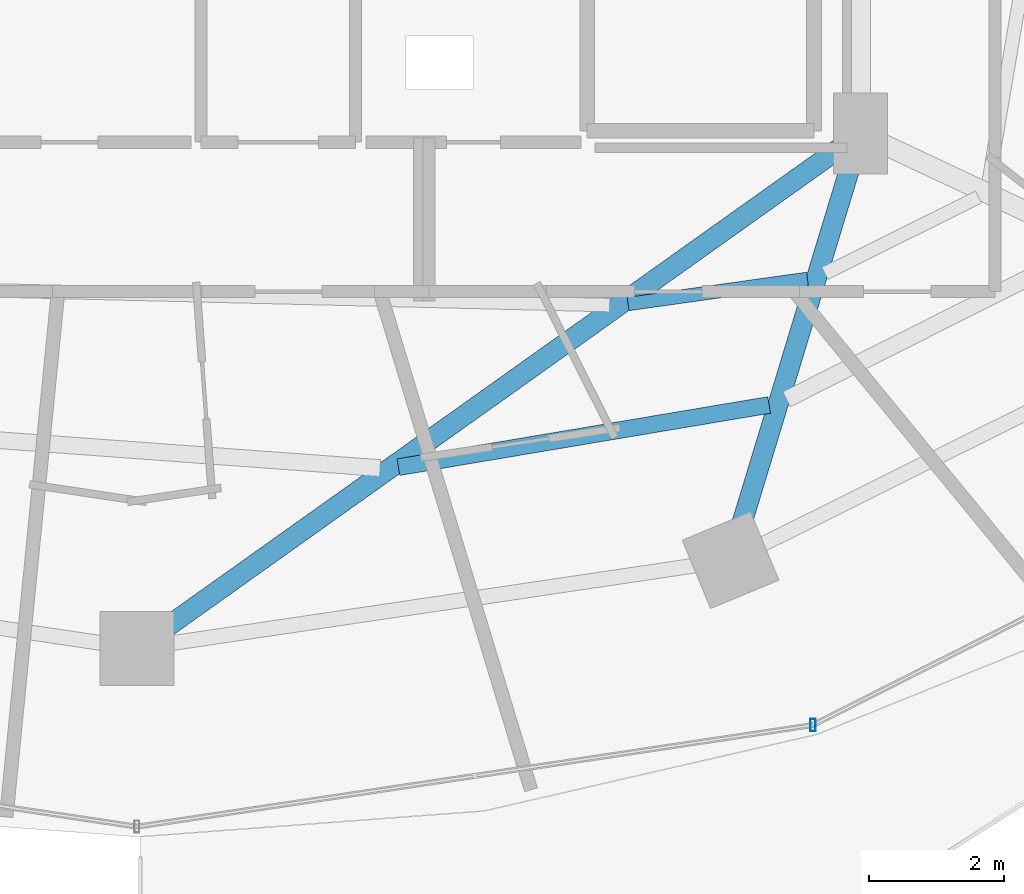
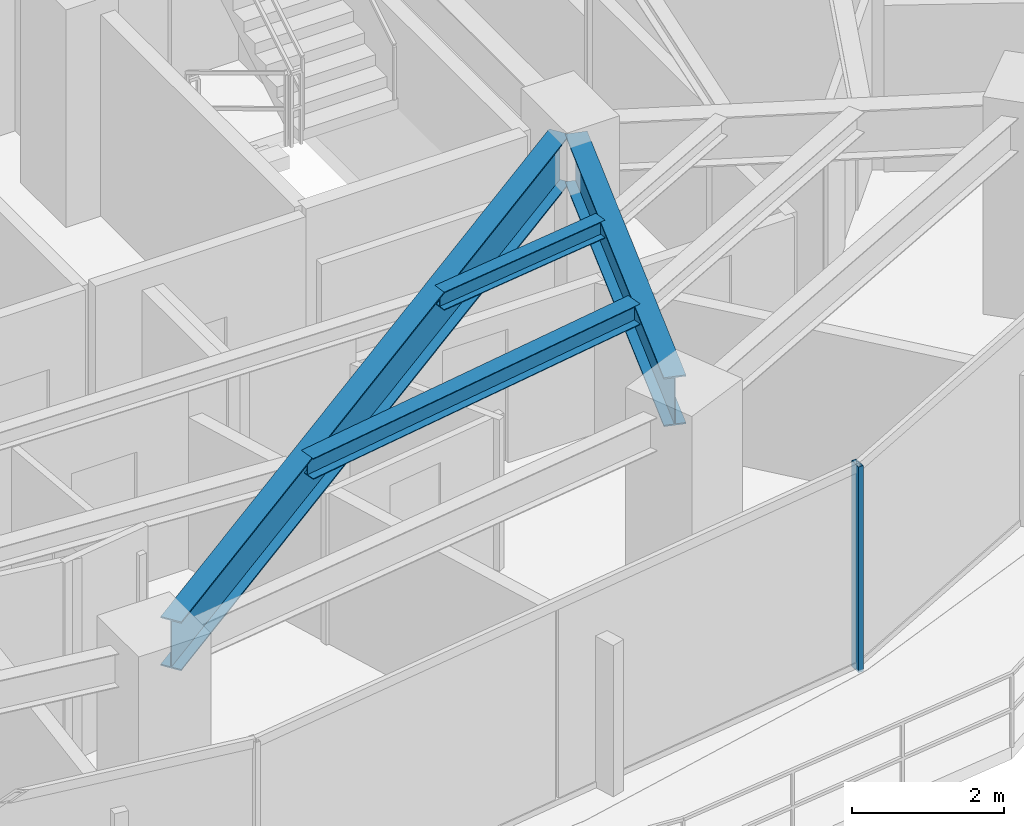
# One storey, part 10 of 29: 4 beams, 1 member, 1 element without a shape of its own.
"""IFC4 building model written with IfcOpenShell, lengths in metres."""

from ifc_helpers import new_model, si_unit, direction, frame, origin, origin_2d, place, context, subcontext, project, spatial, hollow_rectangle, i_section, extrude, material, material_profile, profile_set, type_object, element, aggregate, save


model = new_model("IFC4")

# Units and contexts
model_context = context("Model", 3, precision=1e-05, world=origin(), true_north=direction((0.0, 1.0)))
body_context = subcontext(model_context, "Body", "Model", "MODEL_VIEW")
ifc_project = project(units=[si_unit("LENGTHUNIT", "METRE"), si_unit("AREAUNIT", "SQUARE_METRE"), si_unit("VOLUMEUNIT", "CUBIC_METRE"), si_unit("PLANEANGLEUNIT", "RADIAN"), si_unit("MASSUNIT", "GRAM", prefix="KILO")], contexts=[model_context])

# Site, building, storey
site_placement = place(None, origin())
site = spatial("IfcSite", under=ifc_project, at=site_placement, CompositionType="ELEMENT")
building_placement = place(site_placement, origin())
building = spatial("IfcBuilding", under=site, at=building_placement, Name="Vorneva Point Tower", CompositionType="ELEMENT")
storey_placement = place(building_placement, frame((0.0, 0.0, 113.800048828125)))
storey = spatial("IfcBuildingStorey", under=building, at=storey_placement, Name="L30", CompositionType="ELEMENT", Elevation=113.800048828125)

# Beams
ifc_material_1 = material(Name="Steel S355", Category="steel")
ifc_material_profile_1 = material_profile(ifc_material_1, i_section(OverallWidth=0.300048828125, OverallDepth=0.7880859375, WebThickness=0.014404296875, FlangeThickness=0.02197265625, at=origin_2d()), Name="80Sh1")
ifc_profile_set_1 = profile_set([ifc_material_profile_1], Name="Steel S355")
beam_type_1 = type_object("IfcBeamType", Name="BM-GRD-80Sh1", PredefinedType="USERDEFINED", material=ifc_profile_set_1)
beam_1_placement = place(storey_placement, frame((38.438232421875, 9.11181640625, 2.845947265625), z_axis=(0.814750142675, 0.5798122153, 0.0), x_axis=(-0.5798122153, 0.814750142675, 0.0)))
element("IfcBeam", 1, at=beam_1_placement, inside=storey, type_object=beam_type_1, Name="L30 Radial Primary Girder 13", ObjectType="GIRDER", PredefinedType="USERDEFINED", context=body_context, shape_type="SweptSolid", body=[
    extrude(i_section(OverallWidth=0.300048828125, OverallDepth=0.7880859375, WebThickness=0.014404296875, FlangeThickness=0.02197265625, at=origin_2d()), origin(), (0.0, 0.0, 1.0), 12.316162109375),
])
beam_2_placement = place(storey_placement, frame((46.9775390625, 10.6240234375, 2.845947265625), z_axis=(0.291034888253, 0.956712440506, 0.0), x_axis=(-0.956712440506, 0.291034888253, 0.0)))
element("IfcBeam", 2, at=beam_2_placement, inside=storey, type_object=beam_type_1, Name="L30 Radial Primary Girder 14", ObjectType="GIRDER", PredefinedType="USERDEFINED", context=body_context, shape_type="SweptSolid", body=[
    extrude(i_section(OverallWidth=0.300048828125, OverallDepth=0.7880859375, WebThickness=0.014404296875, FlangeThickness=0.02197265625, at=origin_2d()), origin(), (0.0, 0.0, 1.0), 5.74951171875),
])
ifc_material_profile_2 = material_profile(ifc_material_1, i_section(OverallWidth=0.199951171875, OverallDepth=0.291015625, WebThickness=0.008056640625, FlangeThickness=0.010986328125, at=origin_2d()), Name="30Sh1")
ifc_profile_set_2 = profile_set([ifc_material_profile_2], Name="Steel S355")
beam_type_2 = type_object("IfcBeamType", Name="BM-SEC-30Sh1", PredefinedType="BEAM", material=ifc_profile_set_2)
beam_3_placement = place(storey_placement, frame((45.298095703125, 13.91552734375, 3.094482421875), z_axis=(0.990250320803, 0.139299325736, 0.0), x_axis=(-0.139299325736, 0.990250320803, 0.0)))
element("IfcBeam", 3, at=beam_3_placement, inside=storey, type_object=beam_type_2, Name="L30 Secondary Floor Beam 2.13", PredefinedType="BEAM", context=body_context, shape_type="SweptSolid", body=[
    extrude(i_section(OverallWidth=0.199951171875, OverallDepth=0.291015625, WebThickness=0.008056640625, FlangeThickness=0.010986328125, at=origin_2d()), origin(), (0.0, 0.0, 1.0), 2.690185546875),
])
ifc_material_profile_3 = material_profile(ifc_material_1, i_section(OverallWidth=0.2490234375, OverallDepth=0.333984375, WebThickness=0.008056640625, FlangeThickness=0.010986328125, at=origin_2d()), Name="35Sh1")
ifc_profile_set_3 = profile_set([ifc_material_profile_3], Name="Steel S355")
beam_type_3 = type_object("IfcBeamType", Name="BM-SEC-35Sh1", PredefinedType="BEAM", material=ifc_profile_set_3)
beam_4_placement = place(storey_placement, frame((41.8857421875, 11.4912109375, 3.072998046875), z_axis=(0.986181637233, 0.165667674532, 0.0), x_axis=(-0.165667674532, 0.986181637233, 0.0)))
element("IfcBeam", 4, at=beam_4_placement, inside=storey, type_object=beam_type_3, Name="L30 Secondary Floor Beam 1.13", PredefinedType="BEAM", context=body_context, shape_type="SweptSolid", body=[
    extrude(i_section(OverallWidth=0.2490234375, OverallDepth=0.333984375, WebThickness=0.008056640625, FlangeThickness=0.010986328125, at=origin_2d()), origin(), (0.0, 0.0, 1.0), 5.585205078125),
])

# Curtain wall, member
ifc_material_2 = material(Name="Pale anodised aluminium", Category="aluminium")
curtain_wall_type = type_object("IfcCurtainWallType", Name="CW-HTL-SYS", PredefinedType="NOTDEFINED", material=ifc_material_2)
curtain_wall_placement = place(storey_placement, origin())
curtain_wall = element("IfcCurtainWall", 5, at=curtain_wall_placement, inside=storey, type_object=curtain_wall_type, Name="L30 Unitised Curtain Wall CW-L30-R04", PredefinedType="NOTDEFINED")
ifc_material_profile_4 = material_profile(ifc_material_2, hollow_rectangle(XDim=0.074951171875, YDim=0.179931640625, WallThickness=0.00390625, at=origin_2d()), Name="AL-MUL 180x75x4")
ifc_profile_set_4 = profile_set([ifc_material_profile_4], Name="Pale anodised aluminium")
member_type = type_object("IfcMemberType", Name="CW-MUL-180", PredefinedType="MULLION", material=ifc_profile_set_4)
member_placement = place(storey_placement, frame((48.04541015625, 7.660888671875, -0.0400390625), z_axis=(0.0, 0.0, 1.0), x_axis=(1.0, 0.0, 0.0)))
member = element("IfcMember", 6, at=member_placement, type_object=member_type, Name="CW-L30-R04 Mullion 04", PredefinedType="MULLION", context=body_context, shape_type="SweptSolid", body=[
    extrude(hollow_rectangle(XDim=0.074951171875, YDim=0.179931640625, WallThickness=0.00390625, at=origin_2d()), origin(), (0.0, 0.0, 1.0), 3.31005859375),
])
aggregate(curtain_wall, [member])

save(model, "model.ifc")
